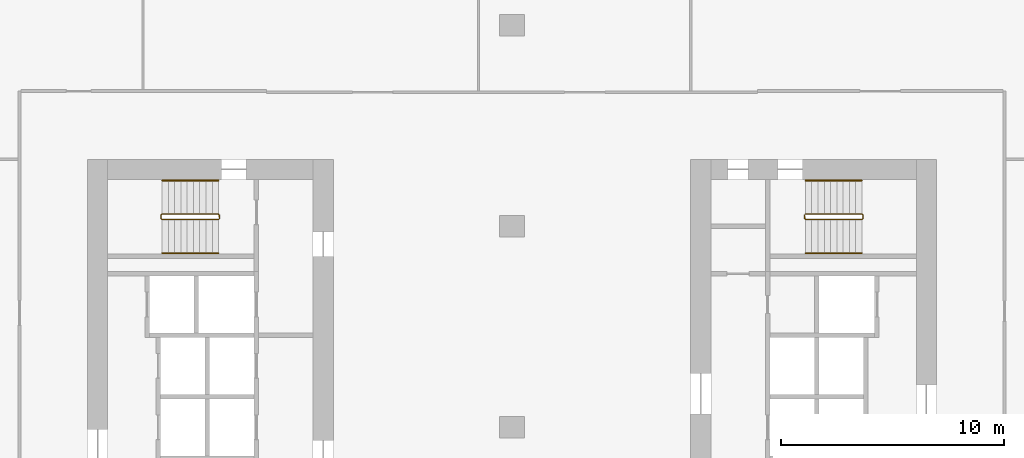
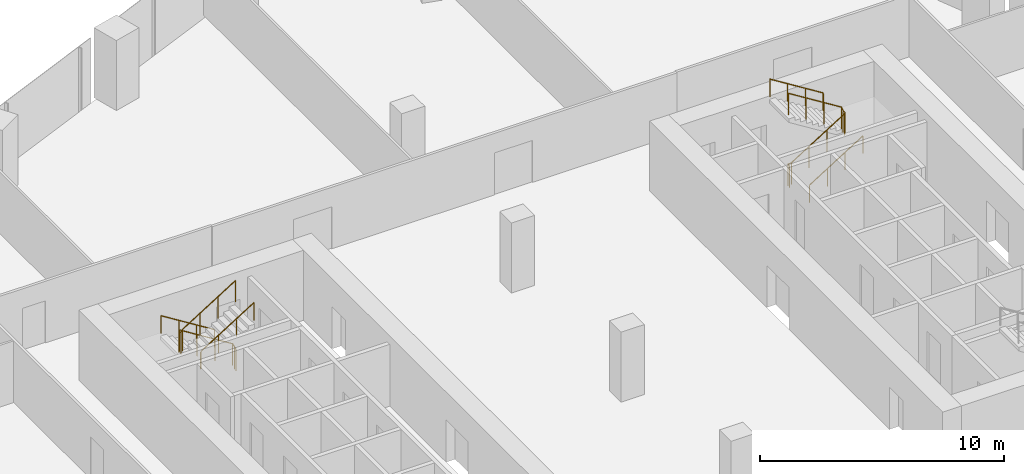
# One storey, part 34 of 34: 6 railings.
"""IFC4 building model written with IfcOpenShell, lengths in metres."""

from ifc_helpers import new_model, si_unit, direction, frame, origin, origin_2d, place, context, subcontext, project, spatial, circle, extrude, material, type_object, element, save


model = new_model("IFC4")

# Units and contexts
model_context = context("Model", 3, precision=1e-05, world=origin(), true_north=direction((0.0, 1.0)))
body_context = subcontext(model_context, "Body", "Model", "MODEL_VIEW")
ifc_project = project(units=[si_unit("LENGTHUNIT", "METRE"), si_unit("AREAUNIT", "SQUARE_METRE"), si_unit("VOLUMEUNIT", "CUBIC_METRE"), si_unit("PLANEANGLEUNIT", "RADIAN"), si_unit("MASSUNIT", "GRAM", prefix="KILO")], contexts=[model_context])

# Site, building, storey
site_placement = place(None, origin())
site = spatial("IfcSite", under=ifc_project, at=site_placement, CompositionType="ELEMENT")
building_placement = place(site_placement, origin())
building = spatial("IfcBuilding", under=site, at=building_placement, Name="Orlundy Tower", CompositionType="ELEMENT")
storey_placement = place(building_placement, frame((0.0, 0.0, 105.699951171875)))
storey = spatial("IfcBuildingStorey", under=building, at=storey_placement, Name="L26", CompositionType="ELEMENT", Elevation=105.699951171875)

# Railings
ifc_material_1 = material(Name="Steel balustrade", Category="steel")
railing_type_1 = type_object("IfcRailingType", Name="Stair Guard 1100", PredefinedType="GUARDRAIL", material=ifc_material_1)
railing_1_placement = place(storey_placement, frame((-13.090087890625, 9.5, 0.0)))
element("IfcRailing", 1, at=railing_1_placement, inside=storey, type_object=railing_type_1, Name="L26 ST-W1 stair guard 1", PredefinedType="GUARDRAIL", context=body_context, shape_type="SweptSolid", body=[
    extrude(circle(Radius=0.02392578125, at=origin_2d()), frame((0.0, 0.0, 1.076171875), z_axis=(0.0, -1.0, 0.0), x_axis=(1.0, 0.0, 0.0)), (0.0, 0.0, 1.0), 0.14990234375),
    extrude(circle(Radius=0.02392578125, at=origin_2d()), frame((0.0, -0.14990234375, 1.076171875), z_axis=(-0.18420542264, 0.739530593833, 0.647427882513), x_axis=(-0.970351222016, -0.241699205484, 0.0)), (0.0, 0.0, 1.0), 0.270263671875),
    extrude(circle(Radius=0.02392578125, at=origin_2d()), frame((-0.0498046875, 0.050048828125, 1.2509765625), z_axis=(-0.848007534815, 0.0, 0.529984170421), x_axis=(0.0, -1.0, 0.0)), (0.0, 0.0, 1.0), 2.9716796875),
    extrude(circle(Radius=0.02392578125, at=origin_2d()), frame((-2.56982421875, 0.050048828125, 2.826171875), z_axis=(-0.707106781187, -0.707106781187, 0.0), x_axis=(0.707106781187, -0.707106781187, 0.0)), (0.0, 0.0, 1.0), 0.07080078125),
    extrude(circle(Radius=0.02392578125, at=origin_2d()), frame((-2.619873046875, 0.0, 2.826171875), z_axis=(0.0, -1.0, 0.0), x_axis=(1.0, 0.0, 0.0)), (0.0, 0.0, 1.0), 0.14990234375),
    extrude(circle(Radius=0.02392578125, at=origin_2d()), frame((-2.619873046875, -0.14990234375, 2.826171875), z_axis=(0.265065253269, -0.265065253269, 0.927081885822), x_axis=(0.707106781187, 0.707106781187, 0.0)), (0.0, 0.0, 1.0), 0.188720703125),
    extrude(circle(Radius=0.02392578125, at=origin_2d()), frame((-2.56982421875, -0.199951171875, 3.0009765625), z_axis=(0.848007534815, 0.0, 0.529984170421), x_axis=(0.0, 1.0, 0.0)), (0.0, 0.0, 1.0), 2.9716796875),
    extrude(circle(Radius=0.02099609375, at=origin_2d()), origin(), (0.0, 0.0, 1.0), 1.052001953125),
    extrude(circle(Radius=0.02099609375, at=origin_2d()), frame((0.0, -0.14990234375, 0.0)), (0.0, 0.0, 1.0), 1.052001953125),
    extrude(circle(Radius=0.02099609375, at=origin_2d()), frame((-0.0498046875, 0.050048828125, 0.175048828125)), (0.0, 0.0, 1.0), 1.052001953125),
    extrude(circle(Radius=0.02099609375, at=origin_2d()), frame((-0.889892578125, 0.050048828125, 0.699951171875)), (0.0, 0.0, 1.0), 1.052001953125),
    extrude(circle(Radius=0.02099609375, at=origin_2d()), frame((-1.729736328125, 0.050048828125, 1.22509765625)), (0.0, 0.0, 1.0), 1.052001953125),
    extrude(circle(Radius=0.02099609375, at=origin_2d()), frame((-2.56982421875, 0.050048828125, 1.75)), (0.0, 0.0, 1.0), 1.052001953125),
    extrude(circle(Radius=0.02099609375, at=origin_2d()), frame((-2.619873046875, 0.0, 1.75)), (0.0, 0.0, 1.0), 1.052001953125),
    extrude(circle(Radius=0.02099609375, at=origin_2d()), frame((-2.619873046875, -0.14990234375, 1.75)), (0.0, 0.0, 1.0), 1.052001953125),
    extrude(circle(Radius=0.02099609375, at=origin_2d()), frame((-2.56982421875, -0.199951171875, 1.925048828125)), (0.0, 0.0, 1.0), 1.052001953125),
    extrude(circle(Radius=0.02099609375, at=origin_2d()), frame((-1.729736328125, -0.199951171875, 2.449951171875)), (0.0, 0.0, 1.0), 1.052001953125),
    extrude(circle(Radius=0.02099609375, at=origin_2d()), frame((-0.889892578125, -0.199951171875, 2.97509765625)), (0.0, 0.0, 1.0), 1.052001953125),
    extrude(circle(Radius=0.02099609375, at=origin_2d()), frame((-0.0498046875, -0.199951171875, 3.5)), (0.0, 0.0, 1.0), 1.052001953125),
])
railing_2_placement = place(storey_placement, frame((13.090087890625, 9.35009765625, 0.0)))
element("IfcRailing", 2, at=railing_2_placement, inside=storey, type_object=railing_type_1, Name="L26 ST-E2 stair guard 1", PredefinedType="GUARDRAIL", context=body_context, shape_type="SweptSolid", body=[
    extrude(circle(Radius=0.02392578125, at=origin_2d()), frame((0.0, 0.0, 1.076171875), z_axis=(0.0, 1.0, 0.0), x_axis=(-1.0, 0.0, 0.0)), (0.0, 0.0, 1.0), 0.14990234375),
    extrude(circle(Radius=0.02392578125, at=origin_2d()), frame((0.0, 0.14990234375, 1.076171875), z_axis=(0.18420542264, -0.739530593833, 0.647427882513), x_axis=(0.970351222016, 0.241699205484, 0.0)), (0.0, 0.0, 1.0), 0.270263671875),
    extrude(circle(Radius=0.02392578125, at=origin_2d()), frame((0.0498046875, -0.050048828125, 1.2509765625), z_axis=(0.848007534815, 0.0, 0.529984170421), x_axis=(0.0, 1.0, 0.0)), (0.0, 0.0, 1.0), 2.9716796875),
    extrude(circle(Radius=0.02392578125, at=origin_2d()), frame((2.56982421875, -0.050048828125, 2.826171875), z_axis=(0.707106781187, 0.707106781187, 0.0), x_axis=(-0.707106781187, 0.707106781187, 0.0)), (0.0, 0.0, 1.0), 0.07080078125),
    extrude(circle(Radius=0.02392578125, at=origin_2d()), frame((2.619873046875, 0.0, 2.826171875), z_axis=(0.0, 1.0, 0.0), x_axis=(-1.0, 0.0, 0.0)), (0.0, 0.0, 1.0), 0.14990234375),
    extrude(circle(Radius=0.02392578125, at=origin_2d()), frame((2.619873046875, 0.14990234375, 2.826171875), z_axis=(-0.265065253269, 0.265065253269, 0.927081885822), x_axis=(-0.707106781187, -0.707106781187, 0.0)), (0.0, 0.0, 1.0), 0.188720703125),
    extrude(circle(Radius=0.02392578125, at=origin_2d()), frame((2.56982421875, 0.199951171875, 3.0009765625), z_axis=(-0.848007534815, 0.0, 0.529984170421), x_axis=(0.0, -1.0, 0.0)), (0.0, 0.0, 1.0), 2.9716796875),
    extrude(circle(Radius=0.02099609375, at=origin_2d()), origin(), (0.0, 0.0, 1.0), 1.052001953125),
    extrude(circle(Radius=0.02099609375, at=origin_2d()), frame((0.0, 0.14990234375, 0.0)), (0.0, 0.0, 1.0), 1.052001953125),
    extrude(circle(Radius=0.02099609375, at=origin_2d()), frame((0.0498046875, -0.050048828125, 0.175048828125)), (0.0, 0.0, 1.0), 1.052001953125),
    extrude(circle(Radius=0.02099609375, at=origin_2d()), frame((0.889892578125, -0.050048828125, 0.699951171875)), (0.0, 0.0, 1.0), 1.052001953125),
    extrude(circle(Radius=0.02099609375, at=origin_2d()), frame((1.729736328125, -0.050048828125, 1.22509765625)), (0.0, 0.0, 1.0), 1.052001953125),
    extrude(circle(Radius=0.02099609375, at=origin_2d()), frame((2.56982421875, -0.050048828125, 1.75)), (0.0, 0.0, 1.0), 1.052001953125),
    extrude(circle(Radius=0.02099609375, at=origin_2d()), frame((2.619873046875, 0.0, 1.75)), (0.0, 0.0, 1.0), 1.052001953125),
    extrude(circle(Radius=0.02099609375, at=origin_2d()), frame((2.619873046875, 0.14990234375, 1.75)), (0.0, 0.0, 1.0), 1.052001953125),
    extrude(circle(Radius=0.02099609375, at=origin_2d()), frame((2.56982421875, 0.199951171875, 1.925048828125)), (0.0, 0.0, 1.0), 1.052001953125),
    extrude(circle(Radius=0.02099609375, at=origin_2d()), frame((1.729736328125, 0.199951171875, 2.449951171875)), (0.0, 0.0, 1.0), 1.052001953125),
    extrude(circle(Radius=0.02099609375, at=origin_2d()), frame((0.889892578125, 0.199951171875, 2.97509765625)), (0.0, 0.0, 1.0), 1.052001953125),
    extrude(circle(Radius=0.02099609375, at=origin_2d()), frame((0.0498046875, 0.199951171875, 3.5)), (0.0, 0.0, 1.0), 1.052001953125),
])
ifc_material_2 = material(Name="Steel handrail", Category="steel")
railing_type_2 = type_object("IfcRailingType", Name="Stair Handrail 900", PredefinedType="HANDRAIL", material=ifc_material_2)
railing_3_placement = place(storey_placement, frame((-13.139892578125, 11.050048828125, 0.175048828125)))
element("IfcRailing", 3, at=railing_3_placement, inside=storey, type_object=railing_type_2, Name="L26 ST-W1 stair handrail 1", PredefinedType="HANDRAIL", context=body_context, shape_type="SweptSolid", body=[
    extrude(circle(Radius=0.02392578125, at=origin_2d()), frame((0.0, 0.0, 0.8759765625), z_axis=(-0.848007534815, 0.0, 0.529984170421), x_axis=(0.0, -1.0, 0.0)), (0.0, 0.0, 1.0), 2.9716796875),
    extrude(circle(Radius=0.02099609375, at=origin_2d()), origin(), (0.0, 0.0, 1.0), 0.851806640625),
    extrude(circle(Radius=0.02099609375, at=origin_2d()), frame((-0.840087890625, 0.0, 0.52490234375)), (0.0, 0.0, 1.0), 0.851806640625),
    extrude(circle(Radius=0.02099609375, at=origin_2d()), frame((-1.679931640625, 0.0, 1.050048828125)), (0.0, 0.0, 1.0), 0.851806640625),
    extrude(circle(Radius=0.02099609375, at=origin_2d()), frame((-2.52001953125, 0.0, 1.574951171875)), (0.0, 0.0, 1.0), 0.851806640625),
])
for number, where, name in (
    (4, (-15.659912109375, 7.800048828125, 1.925048828125), "L26 ST-W1 stair handrail 2"),
    (5, (13.139892578125, 7.800048828125, 0.175048828125), "L26 ST-E2 stair handrail 1"),
):
    element("IfcRailing", number, at=place(storey_placement, frame(where)), inside=storey, type_object=railing_type_2, Name=name, PredefinedType="HANDRAIL", context=body_context, shape_type="SweptSolid", body=[
        extrude(circle(Radius=0.02392578125, at=origin_2d()), frame((0.0, 0.0, 0.8759765625), z_axis=(0.848007534815, 0.0, 0.529984170421), x_axis=(0.0, 1.0, 0.0)), (0.0, 0.0, 1.0), 2.9716796875),
        extrude(circle(Radius=0.02099609375, at=origin_2d()), origin(), (0.0, 0.0, 1.0), 0.851806640625),
        extrude(circle(Radius=0.02099609375, at=origin_2d()), frame((0.840087890625, 0.0, 0.52490234375)), (0.0, 0.0, 1.0), 0.851806640625),
        extrude(circle(Radius=0.02099609375, at=origin_2d()), frame((1.679931640625, 0.0, 1.050048828125)), (0.0, 0.0, 1.0), 0.851806640625),
        extrude(circle(Radius=0.02099609375, at=origin_2d()), frame((2.52001953125, 0.0, 1.574951171875)), (0.0, 0.0, 1.0), 0.851806640625),
    ])
railing_4_placement = place(storey_placement, frame((15.659912109375, 11.050048828125, 1.925048828125)))
element("IfcRailing", 6, at=railing_4_placement, inside=storey, type_object=railing_type_2, Name="L26 ST-E2 stair handrail 2", PredefinedType="HANDRAIL", context=body_context, shape_type="SweptSolid", body=[
    extrude(circle(Radius=0.02392578125, at=origin_2d()), frame((0.0, 0.0, 0.8759765625), z_axis=(-0.848007534815, 0.0, 0.529984170421), x_axis=(0.0, -1.0, 0.0)), (0.0, 0.0, 1.0), 2.9716796875),
    extrude(circle(Radius=0.02099609375, at=origin_2d()), origin(), (0.0, 0.0, 1.0), 0.851806640625),
    extrude(circle(Radius=0.02099609375, at=origin_2d()), frame((-0.840087890625, 0.0, 0.52490234375)), (0.0, 0.0, 1.0), 0.851806640625),
    extrude(circle(Radius=0.02099609375, at=origin_2d()), frame((-1.679931640625, 0.0, 1.050048828125)), (0.0, 0.0, 1.0), 0.851806640625),
    extrude(circle(Radius=0.02099609375, at=origin_2d()), frame((-2.52001953125, 0.0, 1.574951171875)), (0.0, 0.0, 1.0), 0.851806640625),
])

save(model, "model.ifc")
